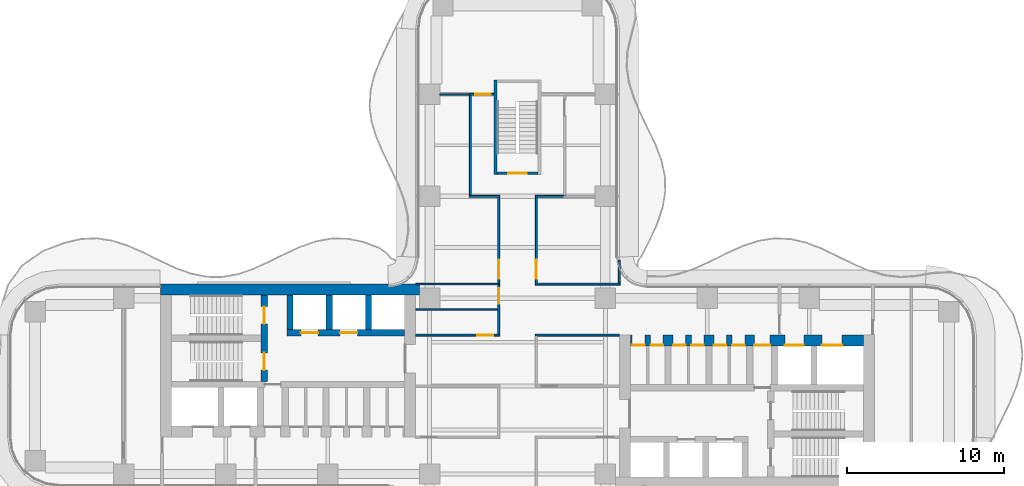
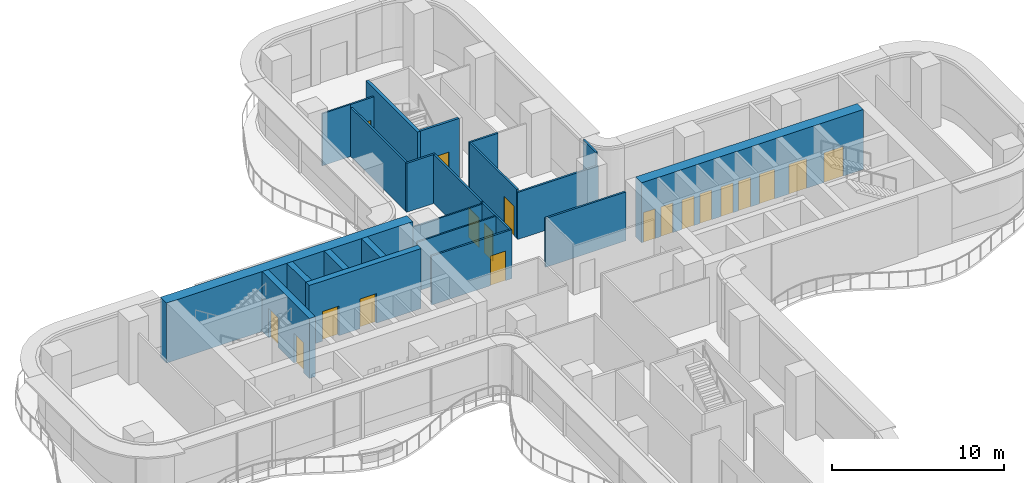
# One storey, part 20 of 23: 23 walls, 19 doors, 19 openings.
"""IFC4 building model written with IfcOpenShell, lengths in metres."""

from ifc_helpers import new_model, si_unit, direction, frame, frame_2d, origin, place, context, subcontext, project, spatial, rectangle, extrude, source, transform, mapped, material, layer, layer_set, type_object, element, fill, save


model = new_model("IFC4")

# Units and contexts
model_context = context("Model", 3, precision=1e-05, world=origin(), true_north=direction((0.0, 1.0)))
body_context = subcontext(model_context, "Body", "Model", "MODEL_VIEW")
ifc_project = project(units=[si_unit("LENGTHUNIT", "METRE"), si_unit("AREAUNIT", "SQUARE_METRE"), si_unit("VOLUMEUNIT", "CUBIC_METRE"), si_unit("PLANEANGLEUNIT", "RADIAN"), si_unit("MASSUNIT", "GRAM", prefix="KILO")], contexts=[model_context])

# Site, building, storey
site_placement = place(None, origin())
site = spatial("IfcSite", under=ifc_project, at=site_placement, CompositionType="ELEMENT")
building_placement = place(site_placement, origin())
building = spatial("IfcBuilding", under=site, at=building_placement, Name="Trellis Farm Tower", CompositionType="ELEMENT")
storey_placement = place(building_placement, frame((0.0, 0.0, 111.0)))
storey = spatial("IfcBuildingStorey", under=building, at=storey_placement, Name="L23", CompositionType="ELEMENT", Elevation=111.0)

# Walls
ifc_material_1 = material(Name="Concrete C70/85", Category="concrete")
ifc_layer_1 = layer(ifc_material_1, 0.39990234375)
ifc_layer_set_1 = layer_set([ifc_layer_1], Name="CORE INNER WALL 400 CONCRETE C70/85")
wall_type_1 = type_object("IfcWallType", Name="CORE INNER WALL 400 CONCRETE C70/85", PredefinedType="SHEAR", material=ifc_layer_set_1)
shared_shape_1 = source(origin(), body_context, "Body", "SweptSolid", [
    extrude(rectangle(XDim=2.199951171875, YDim=0.39990234375, at=frame_2d((1.10009765625, 0.0))), origin(), (0.0, 0.0, 1.0), 4.25),
])
for number, where, z_axis, x_axis, name in (
    (1, (-9.5, 5.800048828125, 0.0), (0.0, 0.0, 1.0), (0.0, -1.0, 0.0), "Core wall"),
    (2, (-12.0, 5.800048828125, 0.0), (0.0, 0.0, 1.0), (0.0, -1.0, 0.0), "Core wall"),
    (3, (-14.5, 5.800048828125, 0.0), (0.0, 0.0, 1.0), (0.0, -1.0, 0.0), "Core wall"),
):
    element("IfcWall", number, at=place(storey_placement, frame(where, z_axis=z_axis, x_axis=x_axis)), inside=storey, type_object=wall_type_1, Name=name, PredefinedType="SHEAR", context=body_context, shape_type="MappedRepresentation", body=[
        mapped(shared_shape_1, transform((0.0, 0.0, 0.0))),
    ])

# Wall, openings, doors
ifc_layer_2 = layer(ifc_material_1, 0.699951171875)
ifc_layer_set_2 = layer_set([ifc_layer_2], Name="CORE OUTER WALL 700 CONCRETE C70/85")
wall_type_2 = type_object("IfcWallType", Name="CORE OUTER WALL 700 CONCRETE C70/85", PredefinedType="SHEAR", material=ifc_layer_set_2)
shared_shape_2 = source(origin(), body_context, "Body", "SweptSolid", [
    extrude(rectangle(XDim=14.85009765625, YDim=0.699951171875, at=frame_2d((7.425048828125, 0.0))), origin(), (0.0, 0.0, 1.0), 4.25),
])
wall_1_placement = place(storey_placement, frame((7.199951171875, 2.89990234375, 0.0), z_axis=(0.0, 0.0, 1.0), x_axis=(1.0, 0.0, 0.0)))
wall_1 = element("IfcWall", 4, at=wall_1_placement, inside=storey, type_object=wall_type_2, Name="Core wall", PredefinedType="SHEAR", context=body_context, shape_type="MappedRepresentation", body=[
    mapped(shared_shape_2, transform((0.0, 0.0, 0.0))),
])
shared_shape_3 = source(origin(), body_context, "Body", "SweptSolid", [
    extrude(rectangle(XDim=1.300048828125, YDim=2.10009765625, at=frame_2d((0.64990234375, 1.050048828125))), frame((0.0, 0.360107421875, 0.0), z_axis=(0.0, -1.0, 0.0), x_axis=(1.0, 0.0, 0.0)), (0.0, 0.0, 1.0), 0.72021484375),
])
opening_1_placement = place(wall_1_placement, frame((12.199951171875, 0.0, 0.0)))
opening_1 = element("IfcOpeningElement", 5, at=opening_1_placement, cuts=wall_1, Name="Opening LD7", PredefinedType="OPENING", context=body_context, shape_type="MappedRepresentation", body=[
    mapped(shared_shape_3, transform((0.0, 0.0, 0.0))),
])
shared_shape_4 = source(origin(), body_context, "Body", "SweptSolid", [
    extrude(rectangle(XDim=1.199951171875, YDim=2.10009765625, at=frame_2d((0.60009765625, 1.050048828125))), frame((0.0, 0.360107421875, 0.0), z_axis=(0.0, -1.0, 0.0), x_axis=(1.0, 0.0, 0.0)), (0.0, 0.0, 1.0), 0.72021484375),
])
opening_2_placement = place(wall_1_placement, frame((9.85009765625, 0.0, 0.0)))
opening_2 = element("IfcOpeningElement", 6, at=opening_2_placement, cuts=wall_1, Name="Opening LD8", PredefinedType="OPENING", context=body_context, shape_type="MappedRepresentation", body=[
    mapped(shared_shape_4, transform((0.0, 0.0, 0.0))),
])
shared_shape_5 = source(origin(), body_context, "Body", "SweptSolid", [
    extrude(rectangle(XDim=1.0, YDim=2.10009765625, at=frame_2d((0.5, 1.050048828125))), frame((0.0, 0.360107421875, 0.0), z_axis=(0.0, -1.0, 0.0), x_axis=(1.0, 0.0, 0.0)), (0.0, 0.0, 1.0), 0.72021484375),
])
opening_3_placement = place(wall_1_placement, frame((7.89990234375, 0.0, 0.0)))
opening_3 = element("IfcOpeningElement", 7, at=opening_3_placement, cuts=wall_1, Name="Opening DC6", PredefinedType="OPENING", context=body_context, shape_type="MappedRepresentation", body=[
    mapped(shared_shape_5, transform((0.0, 0.0, 0.0))),
])
shared_shape_6 = source(origin(), body_context, "Body", "SweptSolid", [
    extrude(rectangle(XDim=0.800048828125, YDim=2.10009765625, at=frame_2d((0.39990234375, 1.050048828125))), frame((0.0, 0.360107421875, 0.0), z_axis=(0.0, -1.0, 0.0), x_axis=(1.0, 0.0, 0.0)), (0.0, 0.0, 1.0), 0.72021484375),
])
opening_4_placement = place(wall_1_placement, frame((0.112548828125, 0.0, 0.0)))
opening_4 = element("IfcOpeningElement", 8, at=opening_4_placement, cuts=wall_1, Name="Opening DC9", PredefinedType="OPENING", context=body_context, shape_type="MappedRepresentation", body=[
    mapped(shared_shape_6, transform((0.0, 0.0, 0.0))),
])
opening_5_placement = place(wall_1_placement, frame((1.28759765625, 0.0, 0.0)))
opening_5 = element("IfcOpeningElement", 9, at=opening_5_placement, cuts=wall_1, Name="Opening DC16", PredefinedType="OPENING", context=body_context, shape_type="MappedRepresentation", body=[
    mapped(shared_shape_6, transform((0.0, 0.0, 0.0))),
])
opening_6_placement = place(wall_1_placement, frame((2.71240234375, 0.0, 0.0)))
opening_6 = element("IfcOpeningElement", 10, at=opening_6_placement, cuts=wall_1, Name="Opening DC21", PredefinedType="OPENING", context=body_context, shape_type="MappedRepresentation", body=[
    mapped(shared_shape_6, transform((0.0, 0.0, 0.0))),
])
opening_7_placement = place(wall_1_placement, frame((3.887451171875, 0.0, 0.0)))
opening_7 = element("IfcOpeningElement", 11, at=opening_7_placement, cuts=wall_1, Name="Opening DC28", PredefinedType="OPENING", context=body_context, shape_type="MappedRepresentation", body=[
    mapped(shared_shape_6, transform((0.0, 0.0, 0.0))),
])
opening_8_placement = place(wall_1_placement, frame((5.3125, 0.0, 0.0)))
opening_8 = element("IfcOpeningElement", 12, at=opening_8_placement, cuts=wall_1, Name="Opening DC33", PredefinedType="OPENING", context=body_context, shape_type="MappedRepresentation", body=[
    mapped(shared_shape_6, transform((0.0, 0.0, 0.0))),
])
opening_9_placement = place(wall_1_placement, frame((6.487548828125, 0.0, 0.0)))
opening_9 = element("IfcOpeningElement", 13, at=opening_9_placement, cuts=wall_1, Name="Opening DC40", PredefinedType="OPENING", context=body_context, shape_type="MappedRepresentation", body=[
    mapped(shared_shape_6, transform((0.0, 0.0, 0.0))),
])
ifc_material_2 = material(Name="Steel", Category="steel")
door_type_1 = type_object("IfcDoorType", Name="CORE FIRE DOOR 1000 X 2100", OperationType="NOTDEFINED", PredefinedType="DOOR", material=ifc_material_2)
shared_shape_7 = source(origin(), body_context, "Body", "SweptSolid", [
    extrude(rectangle(XDim=1.0, YDim=2.10009765625, at=frame_2d((0.5, 1.050048828125))), frame((0.0, -0.27490234375, 0.0), z_axis=(0.0, -1.0, 0.0), x_axis=(1.0, 0.0, 0.0)), (0.0, 0.0, 1.0), 0.050048828125),
])
door_1_placement = place(opening_3_placement, origin())
door_1 = element("IfcDoor", 14, at=door_1_placement, inside=storey, type_object=door_type_1, Name="Core door", OperationType="SINGLE_SWING_LEFT", OverallHeight=2.10009765625, OverallWidth=1.0, PredefinedType="DOOR", context=body_context, shape_type="MappedRepresentation", body=[
    mapped(shared_shape_7, transform((0.0, 0.0, 0.0))),
])
fill(opening_3, door_1)
ifc_material_3 = material(Name="Stainless steel", Category="steel")
door_type_2 = type_object("IfcDoorType", Name="LIFT LANDING DOOR 1300 X 2100", OperationType="DOUBLE_DOOR_SLIDING", PredefinedType="DOOR", material=ifc_material_3)
shared_shape_8 = source(origin(), body_context, "Body", "SweptSolid", [
    extrude(rectangle(XDim=1.300048828125, YDim=2.10009765625, at=frame_2d((0.64990234375, 1.050048828125))), frame((0.0, -0.27490234375, 0.0), z_axis=(0.0, -1.0, 0.0), x_axis=(1.0, 0.0, 0.0)), (0.0, 0.0, 1.0), 0.050048828125),
])
door_2_placement = place(opening_1_placement, origin())
door_2 = element("IfcDoor", 15, at=door_2_placement, inside=storey, type_object=door_type_2, Name="Lift landing door", OperationType="DOUBLE_DOOR_SLIDING", OverallHeight=2.10009765625, OverallWidth=1.300048828125, PredefinedType="DOOR", context=body_context, shape_type="MappedRepresentation", body=[
    mapped(shared_shape_8, transform((0.0, 0.0, 0.0))),
])
fill(opening_1, door_2)
door_type_3 = type_object("IfcDoorType", Name="LIFT LANDING DOOR 1200 X 2100", OperationType="DOUBLE_DOOR_SLIDING", PredefinedType="DOOR", material=ifc_material_3)
shared_shape_9 = source(origin(), body_context, "Body", "SweptSolid", [
    extrude(rectangle(XDim=1.199951171875, YDim=2.10009765625, at=frame_2d((0.60009765625, 1.050048828125))), frame((0.0, -0.27490234375, 0.0), z_axis=(0.0, -1.0, 0.0), x_axis=(1.0, 0.0, 0.0)), (0.0, 0.0, 1.0), 0.050048828125),
])
door_3_placement = place(opening_2_placement, origin())
door_3 = element("IfcDoor", 16, at=door_3_placement, inside=storey, type_object=door_type_3, Name="Lift landing door", OperationType="DOUBLE_DOOR_SLIDING", OverallHeight=2.10009765625, OverallWidth=1.199951171875, PredefinedType="DOOR", context=body_context, shape_type="MappedRepresentation", body=[
    mapped(shared_shape_9, transform((0.0, 0.0, 0.0))),
])
fill(opening_2, door_3)
door_type_4 = type_object("IfcDoorType", Name="CORE FIRE DOOR 800 X 2100", OperationType="NOTDEFINED", PredefinedType="DOOR", material=ifc_material_2)
shared_shape_10 = source(origin(), body_context, "Body", "SweptSolid", [
    extrude(rectangle(XDim=0.800048828125, YDim=2.10009765625, at=frame_2d((0.39990234375, 1.050048828125))), frame((0.0, -0.27490234375, 0.0), z_axis=(0.0, -1.0, 0.0), x_axis=(1.0, 0.0, 0.0)), (0.0, 0.0, 1.0), 0.050048828125),
])
door_4_placement = place(opening_4_placement, origin())
door_4 = element("IfcDoor", 17, at=door_4_placement, inside=storey, type_object=door_type_4, Name="Core door", OperationType="SINGLE_SWING_LEFT", OverallHeight=2.10009765625, OverallWidth=0.800048828125, PredefinedType="DOOR", context=body_context, shape_type="MappedRepresentation", body=[
    mapped(shared_shape_10, transform((0.0, 0.0, 0.0))),
])
fill(opening_4, door_4)
door_5_placement = place(opening_5_placement, origin())
door_5 = element("IfcDoor", 18, at=door_5_placement, inside=storey, type_object=door_type_4, Name="Core door", OperationType="SINGLE_SWING_RIGHT", OverallHeight=2.10009765625, OverallWidth=0.800048828125, PredefinedType="DOOR", context=body_context, shape_type="MappedRepresentation", body=[
    mapped(shared_shape_10, transform((0.0, 0.0, 0.0))),
])
fill(opening_5, door_5)
door_6_placement = place(opening_6_placement, origin())
door_6 = element("IfcDoor", 19, at=door_6_placement, inside=storey, type_object=door_type_4, Name="Core door", OperationType="SINGLE_SWING_LEFT", OverallHeight=2.10009765625, OverallWidth=0.800048828125, PredefinedType="DOOR", context=body_context, shape_type="MappedRepresentation", body=[
    mapped(shared_shape_10, transform((0.0, 0.0, 0.0))),
])
fill(opening_6, door_6)
door_7_placement = place(opening_7_placement, origin())
door_7 = element("IfcDoor", 20, at=door_7_placement, inside=storey, type_object=door_type_4, Name="Core door", OperationType="SINGLE_SWING_RIGHT", OverallHeight=2.10009765625, OverallWidth=0.800048828125, PredefinedType="DOOR", context=body_context, shape_type="MappedRepresentation", body=[
    mapped(shared_shape_10, transform((0.0, 0.0, 0.0))),
])
fill(opening_7, door_7)
door_8_placement = place(opening_8_placement, origin())
door_8 = element("IfcDoor", 21, at=door_8_placement, inside=storey, type_object=door_type_4, Name="Core door", OperationType="SINGLE_SWING_LEFT", OverallHeight=2.10009765625, OverallWidth=0.800048828125, PredefinedType="DOOR", context=body_context, shape_type="MappedRepresentation", body=[
    mapped(shared_shape_10, transform((0.0, 0.0, 0.0))),
])
fill(opening_8, door_8)
door_9_placement = place(opening_9_placement, origin())
door_9 = element("IfcDoor", 22, at=door_9_placement, inside=storey, type_object=door_type_4, Name="Core door", OperationType="SINGLE_SWING_RIGHT", OverallHeight=2.10009765625, OverallWidth=0.800048828125, PredefinedType="DOOR", context=body_context, shape_type="MappedRepresentation", body=[
    mapped(shared_shape_10, transform((0.0, 0.0, 0.0))),
])
fill(opening_9, door_9)

shared_shape_11 = source(origin(), body_context, "Body", "SweptSolid", [
    extrude(rectangle(XDim=7.5, YDim=0.39990234375, at=frame_2d((3.75, 0.0))), origin(), (0.0, 0.0, 1.0), 4.25),
])
wall_2_placement = place(storey_placement, frame((-7.199951171875, 3.39990234375, 0.0), z_axis=(0.0, 0.0, 1.0), x_axis=(-1.0, 0.0, 0.0)))
wall_2 = element("IfcWall", 23, at=wall_2_placement, inside=storey, type_object=wall_type_1, Name="Core wall", PredefinedType="SHEAR", context=body_context, shape_type="MappedRepresentation", body=[
    mapped(shared_shape_11, transform((0.0, 0.0, 0.0))),
])
shared_shape_12 = source(origin(), body_context, "Body", "SweptSolid", [
    extrude(rectangle(XDim=1.10009765625, YDim=2.10009765625, at=frame_2d((0.550048828125, 1.050048828125))), frame((0.0, 0.2099609375, 0.0), z_axis=(0.0, -1.0, 0.0), x_axis=(1.0, 0.0, 0.0)), (0.0, 0.0, 1.0), 0.419921875),
])
opening_10_placement = place(wall_2_placement, frame((3.0, 0.0, 0.0)))
opening_10 = element("IfcOpeningElement", 24, at=opening_10_placement, cuts=wall_2, Name="Opening LD10", PredefinedType="OPENING", context=body_context, shape_type="MappedRepresentation", body=[
    mapped(shared_shape_12, transform((0.0, 0.0, 0.0))),
])
opening_11_placement = place(wall_2_placement, frame((5.5, 0.0, 0.0)))
opening_11 = element("IfcOpeningElement", 25, at=opening_11_placement, cuts=wall_2, Name="Opening LD11", PredefinedType="OPENING", context=body_context, shape_type="MappedRepresentation", body=[
    mapped(shared_shape_12, transform((0.0, 0.0, 0.0))),
])
door_type_5 = type_object("IfcDoorType", Name="LIFT LANDING DOOR 1100 X 2100", OperationType="DOUBLE_DOOR_SLIDING", PredefinedType="DOOR", material=ifc_material_3)
shared_shape_13 = source(origin(), body_context, "Body", "SweptSolid", [
    extrude(rectangle(XDim=1.10009765625, YDim=2.10009765625, at=frame_2d((0.550048828125, 1.050048828125))), frame((0.0, 0.02490234375, 0.0), z_axis=(0.0, -1.0, 0.0), x_axis=(1.0, 0.0, 0.0)), (0.0, 0.0, 1.0), 0.050048828125),
])
door_10_placement = place(opening_10_placement, origin())
door_10 = element("IfcDoor", 26, at=door_10_placement, inside=storey, type_object=door_type_5, Name="Lift landing door", OperationType="DOUBLE_DOOR_SLIDING", OverallHeight=2.10009765625, OverallWidth=1.10009765625, PredefinedType="DOOR", context=body_context, shape_type="MappedRepresentation", body=[
    mapped(shared_shape_13, transform((0.0, 0.0, 0.0))),
])
fill(opening_10, door_10)
door_11_placement = place(opening_11_placement, origin())
door_11 = element("IfcDoor", 27, at=door_11_placement, inside=storey, type_object=door_type_5, Name="Lift landing door", OperationType="DOUBLE_DOOR_SLIDING", OverallHeight=2.10009765625, OverallWidth=1.10009765625, PredefinedType="DOOR", context=body_context, shape_type="MappedRepresentation", body=[
    mapped(shared_shape_13, transform((0.0, 0.0, 0.0))),
])
fill(opening_11, door_11)

shared_shape_14 = source(origin(), body_context, "Body", "SweptSolid", [
    extrude(rectangle(XDim=5.5, YDim=0.39990234375, at=frame_2d((2.75, 0.0))), origin(), (0.0, 0.0, 1.0), 4.25),
])
wall_3_placement = place(storey_placement, frame((-16.14990234375, 5.800048828125, 0.0), z_axis=(0.0, 0.0, 1.0), x_axis=(0.0, -1.0, 0.0)))
wall_3 = element("IfcWall", 28, at=wall_3_placement, inside=storey, type_object=wall_type_1, Name="Core wall", PredefinedType="SHEAR", context=body_context, shape_type="MappedRepresentation", body=[
    mapped(shared_shape_14, transform((0.0, 0.0, 0.0))),
])
opening_12_placement = place(wall_3_placement, frame((0.72509765625, 0.0, 0.0)))
opening_12 = element("IfcOpeningElement", 29, at=opening_12_placement, cuts=wall_3, Name="Opening DC88", PredefinedType="OPENING", context=body_context, shape_type="MappedRepresentation", body=[
    mapped(shared_shape_12, transform((0.0, 0.0, 0.0))),
])
opening_13_placement = place(wall_3_placement, frame((3.675048828125, 0.0, 0.0)))
opening_13 = element("IfcOpeningElement", 30, at=opening_13_placement, cuts=wall_3, Name="Opening DC89", PredefinedType="OPENING", context=body_context, shape_type="MappedRepresentation", body=[
    mapped(shared_shape_12, transform((0.0, 0.0, 0.0))),
])
door_type_6 = type_object("IfcDoorType", Name="CORE FIRE DOOR 1100 X 2100", OperationType="NOTDEFINED", PredefinedType="DOOR", material=ifc_material_2)
door_12_placement = place(opening_12_placement, origin())
door_12 = element("IfcDoor", 31, at=door_12_placement, inside=storey, type_object=door_type_6, Name="Core door", OperationType="SINGLE_SWING_RIGHT", OverallHeight=2.10009765625, OverallWidth=1.10009765625, PredefinedType="DOOR", context=body_context, shape_type="MappedRepresentation", body=[
    mapped(shared_shape_13, transform((0.0, 0.0, 0.0))),
])
fill(opening_12, door_12)
door_13_placement = place(opening_13_placement, origin())
door_13 = element("IfcDoor", 32, at=door_13_placement, inside=storey, type_object=door_type_6, Name="Core door", OperationType="SINGLE_SWING_LEFT", OverallHeight=2.10009765625, OverallWidth=1.10009765625, PredefinedType="DOOR", context=body_context, shape_type="MappedRepresentation", body=[
    mapped(shared_shape_13, transform((0.0, 0.0, 0.0))),
])
fill(opening_13, door_13)

# Walls
shared_shape_15 = source(origin(), body_context, "Body", "SweptSolid", [
    extrude(rectangle(XDim=16.5, YDim=0.699951171875, at=frame_2d((8.25, 0.0))), origin(), (0.0, 0.0, 1.0), 4.25),
])
wall_4_placement = place(storey_placement, frame((-6.25, 6.14990234375, 0.0), z_axis=(0.0, 0.0, 1.0), x_axis=(-1.0, 0.0, 0.0)))
element("IfcWall", 33, at=wall_4_placement, inside=storey, type_object=wall_type_2, Name="Core wall", PredefinedType="SHEAR", context=body_context, shape_type="MappedRepresentation", body=[
    mapped(shared_shape_15, transform((0.0, 0.0, 0.0))),
])
ifc_layer_3 = layer(ifc_material_1, 0.199951171875)
ifc_layer_set_3 = layer_set([ifc_layer_3], Name="CORE STAIR ENCLOSURE WALL 200 CONCRETE C70/85")
wall_type_3 = type_object("IfcWallType", Name="CORE STAIR ENCLOSURE WALL 200 CONCRETE C70/85", PredefinedType="SHEAR", material=ifc_layer_set_3)
shared_shape_16 = source(origin(), body_context, "Body", "SweptSolid", [
    extrude(rectangle(XDim=6.0, YDim=0.199951171875, at=frame_2d((3.0, 0.0))), origin(), (0.0, 0.0, 1.0), 4.25),
])
wall_5_placement = place(storey_placement, frame((-1.39990234375, 13.5, 0.0), z_axis=(0.0, 0.0, 1.0), x_axis=(0.0, 1.0, 0.0)))
element("IfcWall", 34, at=wall_5_placement, inside=storey, type_object=wall_type_3, Name="Stair enclosure wall", PredefinedType="SHEAR", context=body_context, shape_type="MappedRepresentation", body=[
    mapped(shared_shape_16, transform((0.0, 0.0, 0.0))),
])

# Wall, opening, door
ifc_layer_4 = layer(ifc_material_1, 0.14990234375)
ifc_layer_set_4 = layer_set([ifc_layer_4], Name="CORE STAIR ENCLOSURE WALL 150 CONCRETE C70/85")
wall_type_4 = type_object("IfcWallType", Name="CORE STAIR ENCLOSURE WALL 150 CONCRETE C70/85", PredefinedType="SHEAR", material=ifc_layer_set_4)
shared_shape_17 = source(origin(), body_context, "Body", "SweptSolid", [
    extrude(rectangle(XDim=2.60009765625, YDim=0.14990234375, at=frame_2d((1.300048828125, 0.0))), origin(), (0.0, 0.0, 1.0), 4.25),
])
wall_6_placement = place(storey_placement, frame((-1.300048828125, 13.574951171875, 0.0), z_axis=(0.0, 0.0, 1.0), x_axis=(1.0, 0.0, 0.0)))
wall_6 = element("IfcWall", 35, at=wall_6_placement, inside=storey, type_object=wall_type_4, Name="Stair enclosure wall", PredefinedType="SHEAR", context=body_context, shape_type="MappedRepresentation", body=[
    mapped(shared_shape_17, transform((0.0, 0.0, 0.0))),
])
shared_shape_18 = source(origin(), body_context, "Body", "SweptSolid", [
    extrude(rectangle(XDim=1.199951171875, YDim=2.10009765625, at=frame_2d((0.60009765625, 1.050048828125))), frame((0.0, 0.0849609375, 0.0), z_axis=(0.0, -1.0, 0.0), x_axis=(1.0, 0.0, 0.0)), (0.0, 0.0, 1.0), 0.169921875),
])
opening_14_placement = place(wall_6_placement, frame((0.699951171875, 0.0, 0.0)))
opening_14 = element("IfcOpeningElement", 36, at=opening_14_placement, cuts=wall_6, Name="Opening DC173", PredefinedType="OPENING", context=body_context, shape_type="MappedRepresentation", body=[
    mapped(shared_shape_18, transform((0.0, 0.0, 0.0))),
])
door_type_7 = type_object("IfcDoorType", Name="CORE FIRE DOOR 1200 X 2100", OperationType="NOTDEFINED", PredefinedType="DOOR", material=ifc_material_2)
shared_shape_19 = source(origin(), body_context, "Body", "SweptSolid", [
    extrude(rectangle(XDim=1.199951171875, YDim=2.10009765625, at=frame_2d((0.60009765625, 1.050048828125))), frame((0.0, 0.02490234375, 0.0), z_axis=(0.0, -1.0, 0.0), x_axis=(1.0, 0.0, 0.0)), (0.0, 0.0, 1.0), 0.050048828125),
])
door_14_placement = place(opening_14_placement, origin())
door_14 = element("IfcDoor", 37, at=door_14_placement, inside=storey, type_object=door_type_7, Name="Core door", OperationType="SINGLE_SWING_LEFT", OverallHeight=2.10009765625, OverallWidth=1.199951171875, PredefinedType="DOOR", context=body_context, shape_type="MappedRepresentation", body=[
    mapped(shared_shape_19, transform((0.0, 0.0, 0.0))),
])
fill(opening_14, door_14)

ifc_material_4 = material(Name="Plasterboard on steel studs, mineral wool", Category="steel")
ifc_layer_5 = layer(ifc_material_4, 0.125)
ifc_layer_set_5 = layer_set([ifc_layer_5], Name="PARTITION 125 STUD EI 60")
wall_type_5 = type_object("IfcWallType", Name="PARTITION 125 STUD EI 60", PredefinedType="PARTITIONING", material=ifc_layer_set_5)
shared_shape_20 = source(origin(), body_context, "Body", "SweptSolid", [
    extrude(rectangle(XDim=5.47509765625, YDim=0.125, at=frame_2d((2.737548828125, 0.0))), origin(), (0.0, 0.0, 1.0), 3.4677734375),
])
wall_7_placement = place(storey_placement, frame((1.199951171875, 12.03759765625, 0.0), z_axis=(0.0, 0.0, 1.0), x_axis=(0.0, -1.0, 0.0)))
wall_7 = element("IfcWall", 38, at=wall_7_placement, inside=storey, type_object=wall_type_5, Name="Partition PW1", PredefinedType="PARTITIONING", context=body_context, shape_type="MappedRepresentation", body=[
    mapped(shared_shape_20, transform((0.0, 0.0, 0.0))),
])
shared_shape_21 = source(origin(), body_context, "Body", "SweptSolid", [
    extrude(rectangle(XDim=1.199951171875, YDim=2.10009765625, at=frame_2d((0.60009765625, 1.050048828125))), frame((0.0, 0.072509765625, 0.0), z_axis=(0.0, -1.0, 0.0), x_axis=(1.0, 0.0, 0.0)), (0.0, 0.0, 1.0), 0.14501953125),
])
opening_15_placement = place(wall_7_placement, frame((3.987548828125, 0.0, 0.0)))
opening_15 = element("IfcOpeningElement", 39, at=opening_15_placement, cuts=wall_7, Name="Opening D602", PredefinedType="OPENING", context=body_context, shape_type="MappedRepresentation", body=[
    mapped(shared_shape_21, transform((0.0, 0.0, 0.0))),
])
ifc_material_5 = material(Name="Fire-rated timber door leaf in a hollow metal frame", Category="wood")
door_type_8 = type_object("IfcDoorType", Name="DOOR 1200x2100 FD30S", OperationType="NOTDEFINED", PredefinedType="DOOR", material=ifc_material_5)
door_15_placement = place(opening_15_placement, origin())
door_15 = element("IfcDoor", 40, at=door_15_placement, inside=storey, type_object=door_type_8, Name="Door D602", OperationType="SINGLE_SWING_RIGHT", OverallHeight=2.10009765625, OverallWidth=1.199951171875, PredefinedType="DOOR", context=body_context, shape_type="MappedRepresentation", body=[
    mapped(shared_shape_19, transform((0.0, 0.0, 0.0))),
])
fill(opening_15, door_15)

# Walls
shared_shape_22 = source(origin(), body_context, "Body", "SweptSolid", [
    extrude(rectangle(XDim=1.468994140625, YDim=0.125, at=frame_2d((0.734375, 0.0))), origin(), (0.0, 0.0, 1.0), 4.25),
])
wall_8_placement = place(storey_placement, frame((6.5, 6.5625, 0.0), z_axis=(0.0, 0.0, 1.0), x_axis=(0.0, 1.0, 0.0)))
element("IfcWall", 41, at=wall_8_placement, inside=storey, type_object=wall_type_5, Name="Partition PW1", PredefinedType="PARTITIONING", context=body_context, shape_type="MappedRepresentation", body=[
    mapped(shared_shape_22, transform((0.0, 0.0, 0.0))),
])
shared_shape_23 = source(origin(), body_context, "Body", "SweptSolid", [
    extrude(rectangle(XDim=1.925048828125, YDim=0.125, at=frame_2d((0.96240234375, 0.0))), origin(), (0.0, 0.0, 1.0), 3.4677734375),
])
for number, where, z_axis, x_axis, name in (
    (42, (-1.137451171875, 12.10009765625, 0.0), (0.0, 0.0, 1.0), (-1.0, 0.0, 0.0), "Partition PW1"),
    (43, (3.0625, 12.10009765625, 0.0), (0.0, 0.0, 1.0), (-1.0, 0.0, 0.0), "Partition PW1"),
):
    element("IfcWall", number, at=place(storey_placement, frame(where, z_axis=z_axis, x_axis=x_axis)), inside=storey, type_object=wall_type_5, Name=name, PredefinedType="PARTITIONING", context=body_context, shape_type="MappedRepresentation", body=[
        mapped(shared_shape_23, transform((0.0, 0.0, 0.0))),
    ])

# Wall, opening, door
shared_shape_24 = source(origin(), body_context, "Body", "SweptSolid", [
    extrude(rectangle(XDim=5.362548828125, YDim=0.125, at=frame_2d((2.68115234375, 0.0))), origin(), (0.0, 0.0, 1.0), 3.4677734375),
])
wall_9_placement = place(storey_placement, frame((-6.5, 3.25, 0.0), z_axis=(0.0, 0.0, 1.0), x_axis=(1.0, 0.0, 0.0)))
wall_9 = element("IfcWall", 44, at=wall_9_placement, inside=storey, type_object=wall_type_5, Name="Partition PW1", PredefinedType="PARTITIONING", context=body_context, shape_type="MappedRepresentation", body=[
    mapped(shared_shape_24, transform((0.0, 0.0, 0.0))),
])
shared_shape_25 = source(origin(), body_context, "Body", "SweptSolid", [
    extrude(rectangle(XDim=1.0, YDim=2.10009765625, at=frame_2d((0.5, 1.050048828125))), frame((0.0, 0.072509765625, 0.0), z_axis=(0.0, -1.0, 0.0), x_axis=(1.0, 0.0, 0.0)), (0.0, 0.0, 1.0), 0.14501953125),
])
opening_16_placement = place(wall_9_placement, frame((3.949951171875, 0.0, 0.0)))
opening_16 = element("IfcOpeningElement", 45, at=opening_16_placement, cuts=wall_9, Name="Opening D105", PredefinedType="OPENING", context=body_context, shape_type="MappedRepresentation", body=[
    mapped(shared_shape_25, transform((0.0, 0.0, 0.0))),
])
door_type_9 = type_object("IfcDoorType", Name="DOOR 1000x2100 FD30S", OperationType="NOTDEFINED", PredefinedType="DOOR", material=ifc_material_5)
shared_shape_26 = source(origin(), body_context, "Body", "SweptSolid", [
    extrude(rectangle(XDim=1.0, YDim=2.10009765625, at=frame_2d((0.5, 1.050048828125))), frame((0.0, 0.02490234375, 0.0), z_axis=(0.0, -1.0, 0.0), x_axis=(1.0, 0.0, 0.0)), (0.0, 0.0, 1.0), 0.050048828125),
])
door_16_placement = place(opening_16_placement, origin())
door_16 = element("IfcDoor", 46, at=door_16_placement, inside=storey, type_object=door_type_9, Name="Door D105", OperationType="SINGLE_SWING_RIGHT", OverallHeight=2.10009765625, OverallWidth=1.0, PredefinedType="DOOR", context=body_context, shape_type="MappedRepresentation", body=[
    mapped(shared_shape_26, transform((0.0, 0.0, 0.0))),
])
fill(opening_16, door_16)

# Walls
wall_10_placement = place(storey_placement, frame((1.137451171875, 3.25, 0.0), z_axis=(0.0, 0.0, 1.0), x_axis=(1.0, 0.0, 0.0)))
element("IfcWall", 47, at=wall_10_placement, inside=storey, type_object=wall_type_5, Name="Partition PW1", PredefinedType="PARTITIONING", context=body_context, shape_type="MappedRepresentation", body=[
    mapped(shared_shape_24, transform((0.0, 0.0, 0.0))),
])
shared_shape_27 = source(origin(), body_context, "Body", "SweptSolid", [
    extrude(rectangle(XDim=5.425048828125, YDim=0.125, at=frame_2d((2.71240234375, 0.0))), origin(), (0.0, 0.0, 1.0), 3.330078125),
])
wall_11_placement = place(storey_placement, frame((1.137451171875, 6.5, 0.0), z_axis=(0.0, 0.0, 1.0), x_axis=(1.0, 0.0, 0.0)))
element("IfcWall", 48, at=wall_11_placement, inside=storey, type_object=wall_type_5, Name="Partition PW1", PredefinedType="PARTITIONING", context=body_context, shape_type="MappedRepresentation", body=[
    mapped(shared_shape_27, transform((0.0, 0.0, 0.0))),
])

# Wall, opening, door
shared_shape_28 = source(origin(), body_context, "Body", "SweptSolid", [
    extrude(rectangle(XDim=3.137451171875, YDim=0.125, at=frame_2d((1.56884765625, 0.0))), origin(), (0.0, 0.0, 1.0), 3.4677734375),
])
wall_12_placement = place(storey_placement, frame((-1.199951171875, 6.449951171875, 0.0), z_axis=(0.0, 0.0, 1.0), x_axis=(0.0, -1.0, 0.0)))
wall_12 = element("IfcWall", 49, at=wall_12_placement, inside=storey, type_object=wall_type_5, Name="Partition PW1", PredefinedType="PARTITIONING", context=body_context, shape_type="MappedRepresentation", body=[
    mapped(shared_shape_28, transform((0.0, 0.0, 0.0))),
])
opening_17_placement = place(wall_12_placement, frame((0.199951171875, 0.0, 0.0)))
opening_17 = element("IfcOpeningElement", 50, at=opening_17_placement, cuts=wall_12, Name="Opening D106", PredefinedType="OPENING", context=body_context, shape_type="MappedRepresentation", body=[
    mapped(shared_shape_25, transform((0.0, 0.0, 0.0))),
])
door_17_placement = place(opening_17_placement, origin())
door_17 = element("IfcDoor", 51, at=door_17_placement, inside=storey, type_object=door_type_9, Name="Door D106", OperationType="SINGLE_SWING_LEFT", OverallHeight=2.10009765625, OverallWidth=1.0, PredefinedType="DOOR", context=body_context, shape_type="MappedRepresentation", body=[
    mapped(shared_shape_26, transform((0.0, 0.0, 0.0))),
])
fill(opening_17, door_17)

shared_shape_29 = source(origin(), body_context, "Body", "SweptSolid", [
    extrude(rectangle(XDim=5.487548828125, YDim=0.125, at=frame_2d((2.74365234375, 0.0))), origin(), (0.0, 0.0, 1.0), 3.4677734375),
])
wall_13_placement = place(storey_placement, frame((-1.199951171875, 6.550048828125, 0.0), z_axis=(0.0, 0.0, 1.0), x_axis=(0.0, 1.0, 0.0)))
wall_13 = element("IfcWall", 52, at=wall_13_placement, inside=storey, type_object=wall_type_5, Name="Partition PW1", PredefinedType="PARTITIONING", context=body_context, shape_type="MappedRepresentation", body=[
    mapped(shared_shape_29, transform((0.0, 0.0, 0.0))),
])
opening_18_placement = place(wall_13_placement, frame((0.300048828125, 0.0, 0.0)))
opening_18 = element("IfcOpeningElement", 53, at=opening_18_placement, cuts=wall_13, Name="Opening D601", PredefinedType="OPENING", context=body_context, shape_type="MappedRepresentation", body=[
    mapped(shared_shape_21, transform((0.0, 0.0, 0.0))),
])
door_18_placement = place(opening_18_placement, origin())
door_18 = element("IfcDoor", 54, at=door_18_placement, inside=storey, type_object=door_type_8, Name="Door D601", OperationType="SINGLE_SWING_LEFT", OverallHeight=2.10009765625, OverallWidth=1.199951171875, PredefinedType="DOOR", context=body_context, shape_type="MappedRepresentation", body=[
    mapped(shared_shape_19, transform((0.0, 0.0, 0.0))),
])
fill(opening_18, door_18)

# Wall
ifc_material_6 = material(Name="Plasterboard on steel studs", Category="steel")
ifc_layer_6 = layer(ifc_material_6, 0.10009765625)
ifc_layer_set_6 = layer_set([ifc_layer_6], Name="PARTITION 100 STUD EI 30")
wall_type_6 = type_object("IfcWallType", Name="PARTITION 100 STUD EI 30", PredefinedType="PARTITIONING", material=ifc_layer_set_6)
shared_shape_30 = source(origin(), body_context, "Body", "SweptSolid", [
    extrude(rectangle(XDim=5.362548828125, YDim=0.10009765625, at=frame_2d((2.68115234375, 0.0))), origin(), (0.0, 0.0, 1.0), 3.330078125),
])
wall_14_placement = place(storey_placement, frame((-6.5, 6.5, 0.0), z_axis=(0.0, 0.0, 1.0), x_axis=(1.0, 0.0, 0.0)))
element("IfcWall", 55, at=wall_14_placement, inside=storey, type_object=wall_type_6, Name="Partition PW2", PredefinedType="PARTITIONING", context=body_context, shape_type="MappedRepresentation", body=[
    mapped(shared_shape_30, transform((0.0, 0.0, 0.0))),
])

# Wall, opening, door
shared_shape_31 = source(origin(), body_context, "Body", "SweptSolid", [
    extrude(rectangle(XDim=1.5625, YDim=0.125, at=frame_2d((0.78125, 0.0))), origin(), (0.0, 0.0, 1.0), 3.697021484375),
])
wall_15_placement = place(storey_placement, frame((-3.0625, 18.60009765625, 0.0), z_axis=(0.0, 0.0, 1.0), x_axis=(1.0, 0.0, 0.0)))
wall_15 = element("IfcWall", 56, at=wall_15_placement, inside=storey, type_object=wall_type_5, Name="Partition PW1", PredefinedType="PARTITIONING", context=body_context, shape_type="MappedRepresentation", body=[
    mapped(shared_shape_31, transform((0.0, 0.0, 0.0))),
])
opening_19_placement = place(wall_15_placement, frame((0.362548828125, 0.0, 0.0)))
opening_19 = element("IfcOpeningElement", 57, at=opening_19_placement, cuts=wall_15, Name="Opening D108", PredefinedType="OPENING", context=body_context, shape_type="MappedRepresentation", body=[
    mapped(shared_shape_25, transform((0.0, 0.0, 0.0))),
])
door_19_placement = place(opening_19_placement, origin())
door_19 = element("IfcDoor", 58, at=door_19_placement, inside=storey, type_object=door_type_9, Name="Door D108", OperationType="SINGLE_SWING_RIGHT", OverallHeight=2.10009765625, OverallWidth=1.0, PredefinedType="DOOR", context=body_context, shape_type="MappedRepresentation", body=[
    mapped(shared_shape_26, transform((0.0, 0.0, 0.0))),
])
fill(opening_19, door_19)

# Walls
shared_shape_32 = source(origin(), body_context, "Body", "SweptSolid", [
    extrude(rectangle(XDim=6.387451171875, YDim=0.125, at=frame_2d((3.19384765625, 0.0))), origin(), (0.0, 0.0, 1.0), 3.4677734375),
])
wall_16_placement = place(storey_placement, frame((-3.0, 12.16259765625, 0.0), z_axis=(0.0, 0.0, 1.0), x_axis=(0.0, 1.0, 0.0)))
element("IfcWall", 59, at=wall_16_placement, inside=storey, type_object=wall_type_5, Name="Partition PW1", PredefinedType="PARTITIONING", context=body_context, shape_type="MappedRepresentation", body=[
    mapped(shared_shape_32, transform((0.0, 0.0, 0.0))),
])
shared_shape_33 = source(origin(), body_context, "Body", "SweptSolid", [
    extrude(rectangle(XDim=2.012451171875, YDim=0.10009765625, at=frame_2d((1.00634765625, 0.0))), origin(), (0.0, 0.0, 1.0), 3.697021484375),
])
wall_17_placement = place(storey_placement, frame((-4.949951171875, 18.60009765625, 0.0), z_axis=(0.0, 0.0, 1.0), x_axis=(1.0, 0.0, 0.0)))
element("IfcWall", 60, at=wall_17_placement, inside=storey, type_object=wall_type_6, Name="Partition PW2", PredefinedType="PARTITIONING", context=body_context, shape_type="MappedRepresentation", body=[
    mapped(shared_shape_33, transform((0.0, 0.0, 0.0))),
])
shared_shape_34 = source(origin(), body_context, "Body", "SweptSolid", [
    extrude(rectangle(XDim=5.237548828125, YDim=0.10009765625, at=frame_2d((2.61865234375, 0.0))), origin(), (0.0, 0.0, 1.0), 3.4677734375),
])
wall_18_placement = place(storey_placement, frame((-6.5, 4.875, 0.0), z_axis=(0.0, 0.0, 1.0), x_axis=(1.0, 0.0, 0.0)))
element("IfcWall", 61, at=wall_18_placement, inside=storey, type_object=wall_type_6, Name="Partition PW2", PredefinedType="PARTITIONING", context=body_context, shape_type="MappedRepresentation", body=[
    mapped(shared_shape_34, transform((0.0, 0.0, 0.0))),
])

save(model, "model.ifc")
